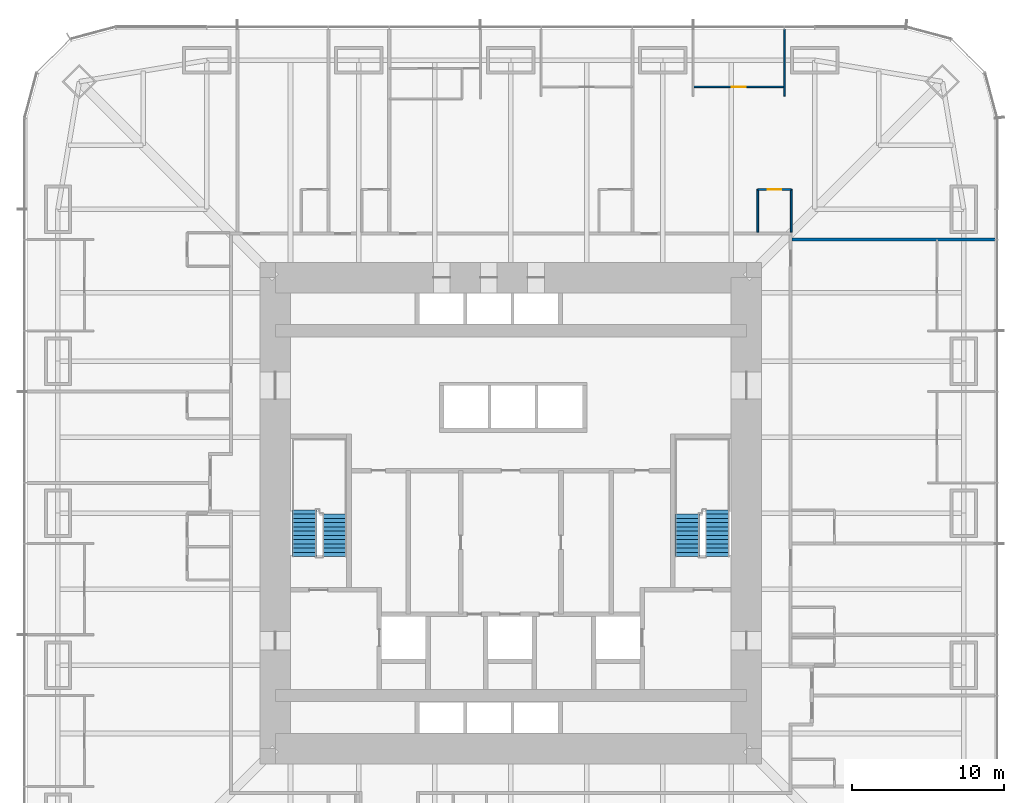
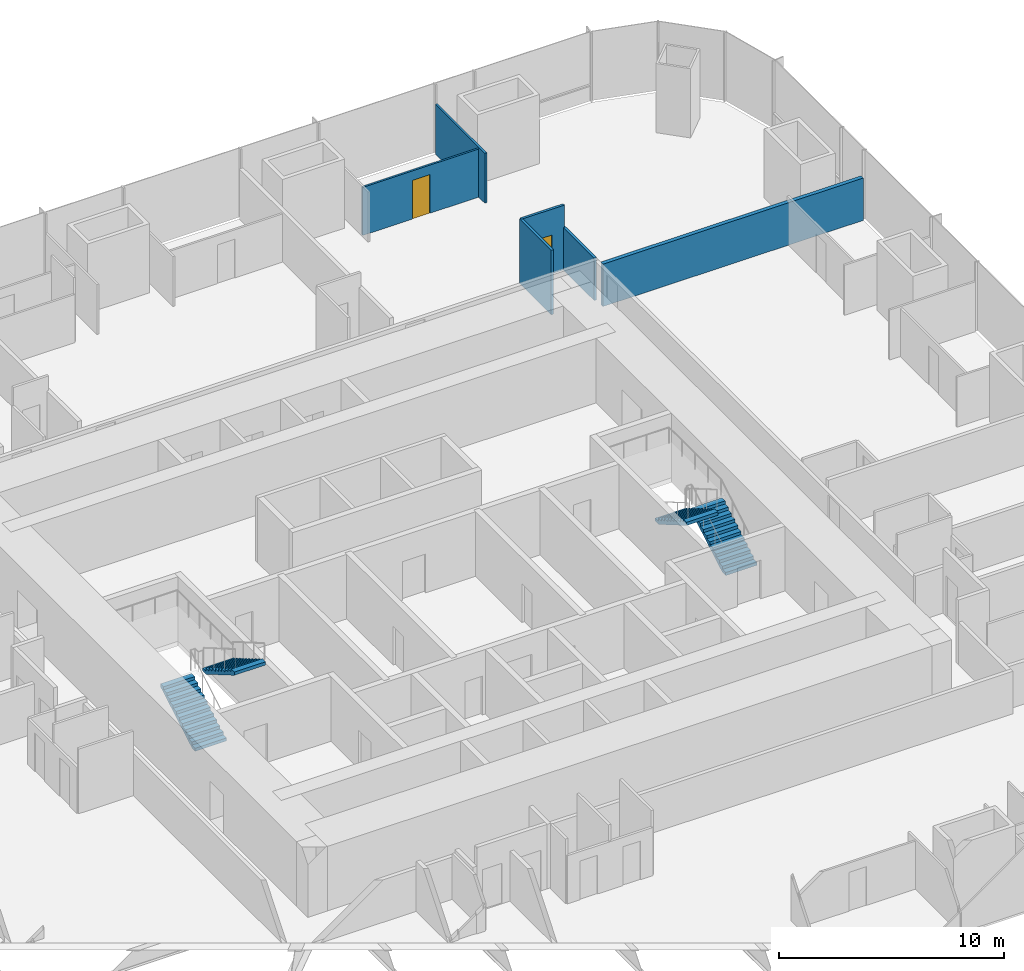
# One storey, part 19 of 20: 6 walls, 4 stair flights, 2 doors, 2 openings, 2 elements without a shape of their own.
"""IFC4 building model written with IfcOpenShell, lengths in metres."""

from ifc_helpers import new_model, si_unit, direction, frame, frame_2d, origin, place, context, subcontext, project, spatial, polyline, rectangle, outline, extrude, material, layer, layer_set, type_object, element, fill, aggregate, save


model = new_model("IFC4")

# Units and contexts
model_context = context("Model", 3, precision=1e-05, world=origin(), true_north=direction((0.0, 1.0)))
body_context = subcontext(model_context, "Body", "Model", "MODEL_VIEW")
ifc_project = project(units=[si_unit("LENGTHUNIT", "METRE"), si_unit("AREAUNIT", "SQUARE_METRE"), si_unit("VOLUMEUNIT", "CUBIC_METRE"), si_unit("PLANEANGLEUNIT", "RADIAN"), si_unit("MASSUNIT", "GRAM", prefix="KILO")], contexts=[model_context])

# Site, building, storey
site_placement = place(None, origin())
site = spatial("IfcSite", under=ifc_project, at=site_placement, CompositionType="ELEMENT")
building_placement = place(site_placement, origin())
building = spatial("IfcBuilding", under=site, at=building_placement, Name="Khuree Lantern Residences", CompositionType="ELEMENT")
storey_placement = place(building_placement, frame((0.0, 0.0, 32.25)))
storey = spatial("IfcBuildingStorey", under=building, at=storey_placement, Name="L07", CompositionType="ELEMENT", Elevation=32.25)

# Wall, opening, door
ifc_material_1 = material(Name="Moisture-resistant gypsum board on steel studs", Category="steel")
ifc_layer_1 = layer(ifc_material_1, 0.125)
ifc_layer_set_1 = layer_set([ifc_layer_1], Name="BATHROOM WALL BTW125")
wall_type_1 = type_object("IfcWallType", Name="BATHROOM WALL BTW125", PredefinedType="PARTITIONING", material=ifc_layer_set_1)
wall_1_placement = place(storey_placement, frame((18.449951171875, 21.300048828125, 0.0), z_axis=(0.0, 0.0, 1.0), x_axis=(-1.0, 0.0, 0.0)))
wall_1 = element("IfcWall", 1, at=wall_1_placement, inside=storey, type_object=wall_type_1, Name="L07 BATHROOM WALL 03", PredefinedType="PARTITIONING", context=body_context, shape_type="SweptSolid", body=[
    extrude(rectangle(XDim=2.199951171875, YDim=0.125, at=frame_2d((1.10009765625, 0.0))), origin(), (0.0, 0.0, 1.0), 3.5),
])
opening_1_placement = place(wall_1_placement, frame((0.64990234375, 0.0, 0.0)))
opening_1 = element("IfcOpeningElement", 2, at=opening_1_placement, cuts=wall_1, Name="Opening 07-027", PredefinedType="OPENING", context=body_context, shape_type="SweptSolid", body=[
    extrude(rectangle(XDim=0.89990234375, YDim=2.10009765625, at=frame_2d((0.449951171875, 1.050048828125))), frame((0.0, 0.072509765625, 0.0), z_axis=(0.0, -1.0, 0.0), x_axis=(1.0, 0.0, 0.0)), (0.0, 0.0, 1.0), 0.14501953125),
])
ifc_material_2 = material(Name="Timber door leaf in hardwood frame", Category="wood")
door_type_1 = type_object("IfcDoorType", Name="BATHROOM DOOR 900X2100", OperationType="SINGLE_SWING_LEFT", PredefinedType="DOOR", material=ifc_material_2)
door_1_placement = place(opening_1_placement, origin())
door_1 = element("IfcDoor", 3, at=door_1_placement, inside=storey, type_object=door_type_1, Name="Bathroom door 07-027", OperationType="SINGLE_SWING_LEFT", OverallHeight=2.10009765625, OverallWidth=0.89990234375, PredefinedType="DOOR", context=body_context, shape_type="SweptSolid", body=[
    extrude(rectangle(XDim=0.89990234375, YDim=2.10009765625, at=frame_2d((0.449951171875, 1.050048828125))), frame((0.0, 0.02490234375, 0.0), z_axis=(0.0, -1.0, 0.0), x_axis=(1.0, 0.0, 0.0)), (0.0, 0.0, 1.0), 0.050048828125),
])
fill(opening_1, door_1)

# Walls
wall_2_placement = place(storey_placement, frame((18.449951171875, 18.5, 0.0), z_axis=(0.0, 0.0, 1.0), x_axis=(0.0, 1.0, 0.0)))
element("IfcWall", 4, at=wall_2_placement, inside=storey, type_object=wall_type_1, Name="L07 BATHROOM WALL 03", PredefinedType="PARTITIONING", context=body_context, shape_type="SweptSolid", body=[
    extrude(rectangle(XDim=2.800048828125, YDim=0.125, at=frame_2d((1.39990234375, 0.0))), origin(), (0.0, 0.0, 1.0), 2.300048828125),
])
wall_3_placement = place(storey_placement, frame((16.25, 18.5, 0.0), z_axis=(0.0, 0.0, 1.0), x_axis=(0.0, 1.0, 0.0)))
element("IfcWall", 5, at=wall_3_placement, inside=storey, type_object=wall_type_1, Name="L07 BATHROOM WALL 03", PredefinedType="PARTITIONING", context=body_context, shape_type="SweptSolid", body=[
    extrude(rectangle(XDim=2.800048828125, YDim=0.125, at=frame_2d((1.39990234375, 0.0))), origin(), (0.0, 0.0, 1.0), 3.5),
])
ifc_material_3 = material(Name="Gypsum board on steel studs", Category="steel")
ifc_layer_2 = layer(ifc_material_3, 0.199951171875)
ifc_layer_set_2 = layer_set([ifc_layer_2], Name="DEMISING WALL DMW200 EI 90")
wall_type_2 = type_object("IfcWallType", Name="DEMISING WALL DMW200 EI 90", PredefinedType="PARTITIONING", material=ifc_layer_set_2)
wall_4_placement = place(storey_placement, frame((18.5, 18.0, 0.0), z_axis=(0.0, 0.0, 1.0), x_axis=(1.0, 0.0, 0.0)))
element("IfcWall", 6, at=wall_4_placement, inside=storey, type_object=wall_type_2, Name="L07 DEMISING WALL 03", PredefinedType="PARTITIONING", context=body_context, shape_type="SweptSolid", body=[
    extrude(rectangle(XDim=13.35009765625, YDim=0.199951171875, at=frame_2d((6.675048828125, 0.0))), origin(), (0.0, 0.0, 1.0), 2.300048828125),
])
ifc_layer_3 = layer(ifc_material_3, 0.10009765625)
ifc_layer_set_3 = layer_set([ifc_layer_3], Name="PARTITION PT100")
wall_type_3 = type_object("IfcWallType", Name="PARTITION PT100", PredefinedType="PARTITIONING", material=ifc_layer_set_3)
wall_5_placement = place(storey_placement, frame((18.0, 27.449951171875, 0.0), z_axis=(0.0, 0.0, 1.0), x_axis=(0.0, 1.0, 0.0)))
element("IfcWall", 7, at=wall_5_placement, inside=storey, type_object=wall_type_3, Name="L07 PARTITION 03", PredefinedType="PARTITIONING", context=body_context, shape_type="SweptSolid", body=[
    extrude(rectangle(XDim=4.400146484375, YDim=0.10009765625, at=frame_2d((2.2001953125, 0.0))), origin(), (0.0, 0.0, 1.0), 2.7099609375),
])

# Wall, opening, door
wall_6_placement = place(storey_placement, frame((18.0, 28.050048828125, 0.0), z_axis=(0.0, 0.0, 1.0), x_axis=(-1.0, 0.0, 0.0)))
wall_6 = element("IfcWall", 8, at=wall_6_placement, inside=storey, type_object=wall_type_3, Name="L07 PARTITION 03", PredefinedType="PARTITIONING", context=body_context, shape_type="SweptSolid", body=[
    extrude(rectangle(XDim=6.0, YDim=0.10009765625, at=frame_2d((3.0, 0.0))), origin(), (0.0, 0.0, 1.0), 2.610107421875),
])
opening_2_placement = place(wall_6_placement, frame((2.550048828125, 0.0, 0.0)))
opening_2 = element("IfcOpeningElement", 9, at=opening_2_placement, cuts=wall_6, Name="Opening 07-026", PredefinedType="OPENING", context=body_context, shape_type="SweptSolid", body=[
    extrude(rectangle(XDim=0.89990234375, YDim=2.10009765625, at=frame_2d((0.449951171875, 1.050048828125))), frame((0.0, 0.06005859375, 0.0), z_axis=(0.0, -1.0, 0.0), x_axis=(1.0, 0.0, 0.0)), (0.0, 0.0, 1.0), 0.1201171875),
])
door_type_2 = type_object("IfcDoorType", Name="BEDROOM DOOR 900X2100", OperationType="SINGLE_SWING_LEFT", PredefinedType="DOOR", material=ifc_material_2)
door_2_placement = place(opening_2_placement, origin())
door_2 = element("IfcDoor", 10, at=door_2_placement, inside=storey, type_object=door_type_2, Name="Bedroom door 07-026", OperationType="SINGLE_SWING_LEFT", OverallHeight=2.10009765625, OverallWidth=0.89990234375, PredefinedType="DOOR", context=body_context, shape_type="SweptSolid", body=[
    extrude(rectangle(XDim=0.89990234375, YDim=2.10009765625, at=frame_2d((0.449951171875, 1.050048828125))), frame((0.0, 0.02490234375, 0.0), z_axis=(0.0, -1.0, 0.0), x_axis=(1.0, 0.0, 0.0)), (0.0, 0.0, 1.0), 0.050048828125),
])
fill(opening_2, door_2)

# Stair, stair flights
ifc_material_4 = material(Name="Concrete C40/50", Category="concrete")
stair_type = type_object("IfcStairType", Name="STAIR ST1 HALF TURN 3600", PredefinedType="HALF_TURN_STAIR", material=ifc_material_4)
stair_1_placement = place(storey_placement, origin())
stair_1 = element("IfcStair", 11, at=stair_1_placement, inside=storey, type_object=stair_type, Name="Stair ST1", PredefinedType="HALF_TURN_STAIR")
stair_flight_type = type_object("IfcStairFlightType", Name="STAIR FLIGHT SF1 1600", PredefinedType="STRAIGHT", material=ifc_material_4)
stair_flight_1_placement = place(storey_placement, frame((-13.60009765625, -2.860107421875, 0.0), z_axis=(0.0, 0.0, 1.0), x_axis=(0.0, 1.0, 0.0)))
stair_flight_1 = element("IfcStairFlight", 12, at=stair_flight_1_placement, type_object=stair_flight_type, Name="ST1 flight 1", NumberOfRisers=12, NumberOfTreads=11, PredefinedType="STRAIGHT", RiserHeight=0.163043478, TreadLength=0.28, context=body_context, shape_type="SweptSolid", body=[
    extrude(outline(polyline([(0.0, 0.0), (0.0, 0.1630859375), (0.280029296875, 0.1630859375), (0.280029296875, 0.326171875), (0.56005859375, 0.326171875), (0.56005859375, 0.489013671875), (0.840087890625, 0.489013671875), (0.840087890625, 0.652099609375), (1.1201171875, 0.652099609375), (1.1201171875, 0.815185546875), (1.39990234375, 0.815185546875), (1.39990234375, 0.978271484375), (1.679931640625, 0.978271484375), (1.679931640625, 1.141357421875), (1.9599609375, 1.141357421875), (1.9599609375, 1.304443359375), (2.239990234375, 1.304443359375), (2.239990234375, 1.46728515625), (2.52001953125, 1.46728515625), (2.52001953125, 1.63037109375), (2.800048828125, 1.63037109375), (2.800048828125, 1.79345703125), (3.080078125, 1.79345703125), (3.080078125, 1.95654296875), (3.080078125, 1.6201171875), (0.2978515625, 0.0), (0.0, 0.0)])), frame((0.0, 0.800048828125, 0.0), z_axis=(0.0, -1.0, 0.0), x_axis=(1.0, 0.0, 0.0)), (0.0, 0.0, 1.0), 1.60009765625),
])
stair_flight_2_placement = place(storey_placement, frame((-11.60009765625, -0.06005859375, 1.95654296875), z_axis=(0.0, 0.0, 1.0), x_axis=(0.0, -1.0, 0.0)))
stair_flight_2 = element("IfcStairFlight", 13, at=stair_flight_2_placement, type_object=stair_flight_type, Name="ST1 flight 2", NumberOfRisers=11, NumberOfTreads=10, PredefinedType="STRAIGHT", RiserHeight=0.163043478, TreadLength=0.28, context=body_context, shape_type="SweptSolid", body=[
    extrude(outline(polyline([(0.0, 0.0), (0.0, 0.1630859375), (0.280029296875, 0.1630859375), (0.280029296875, 0.326171875), (0.56005859375, 0.326171875), (0.56005859375, 0.489013671875), (0.840087890625, 0.489013671875), (0.840087890625, 0.652099609375), (1.1201171875, 0.652099609375), (1.1201171875, 0.815185546875), (1.39990234375, 0.815185546875), (1.39990234375, 0.978271484375), (1.679931640625, 0.978271484375), (1.679931640625, 1.141357421875), (1.9599609375, 1.141357421875), (1.9599609375, 1.304443359375), (2.239990234375, 1.304443359375), (2.239990234375, 1.46728515625), (2.52001953125, 1.46728515625), (2.52001953125, 1.63037109375), (2.800048828125, 1.63037109375), (2.800048828125, 1.79345703125), (2.800048828125, 1.45703125), (0.2978515625, 0.0), (0.0, 0.0)])), frame((0.0, 0.800048828125, 0.0), z_axis=(0.0, -1.0, 0.0), x_axis=(1.0, 0.0, 0.0)), (0.0, 0.0, 1.0), 1.60009765625),
])
aggregate(stair_1, [stair_flight_1, stair_flight_2])

stair_2_placement = place(storey_placement, origin())
stair_2 = element("IfcStair", 14, at=stair_2_placement, inside=storey, type_object=stair_type, Name="Stair ST2", PredefinedType="HALF_TURN_STAIR")
stair_flight_3_placement = place(storey_placement, frame((13.60009765625, -2.860107421875, 0.0), z_axis=(0.0, 0.0, 1.0), x_axis=(0.0, 1.0, 0.0)))
stair_flight_3 = element("IfcStairFlight", 15, at=stair_flight_3_placement, type_object=stair_flight_type, Name="ST2 flight 1", NumberOfRisers=12, NumberOfTreads=11, PredefinedType="STRAIGHT", RiserHeight=0.163043478, TreadLength=0.28, context=body_context, shape_type="SweptSolid", body=[
    extrude(outline(polyline([(0.0, 0.0), (0.0, 0.1630859375), (0.280029296875, 0.1630859375), (0.280029296875, 0.326171875), (0.56005859375, 0.326171875), (0.56005859375, 0.489013671875), (0.840087890625, 0.489013671875), (0.840087890625, 0.652099609375), (1.1201171875, 0.652099609375), (1.1201171875, 0.815185546875), (1.39990234375, 0.815185546875), (1.39990234375, 0.978271484375), (1.679931640625, 0.978271484375), (1.679931640625, 1.141357421875), (1.9599609375, 1.141357421875), (1.9599609375, 1.304443359375), (2.239990234375, 1.304443359375), (2.239990234375, 1.46728515625), (2.52001953125, 1.46728515625), (2.52001953125, 1.63037109375), (2.800048828125, 1.63037109375), (2.800048828125, 1.79345703125), (3.080078125, 1.79345703125), (3.080078125, 1.95654296875), (3.080078125, 1.6201171875), (0.2978515625, 0.0), (0.0, 0.0)])), frame((0.0, 0.800048828125, 0.0), z_axis=(0.0, -1.0, 0.0), x_axis=(1.0, 0.0, 0.0)), (0.0, 0.0, 1.0), 1.60009765625),
])
stair_flight_4_placement = place(storey_placement, frame((11.60009765625, -0.06005859375, 1.95654296875), z_axis=(0.0, 0.0, 1.0), x_axis=(0.0, -1.0, 0.0)))
stair_flight_4 = element("IfcStairFlight", 16, at=stair_flight_4_placement, type_object=stair_flight_type, Name="ST2 flight 2", NumberOfRisers=11, NumberOfTreads=10, PredefinedType="STRAIGHT", RiserHeight=0.163043478, TreadLength=0.28, context=body_context, shape_type="SweptSolid", body=[
    extrude(outline(polyline([(0.0, 0.0), (0.0, 0.1630859375), (0.280029296875, 0.1630859375), (0.280029296875, 0.326171875), (0.56005859375, 0.326171875), (0.56005859375, 0.489013671875), (0.840087890625, 0.489013671875), (0.840087890625, 0.652099609375), (1.1201171875, 0.652099609375), (1.1201171875, 0.815185546875), (1.39990234375, 0.815185546875), (1.39990234375, 0.978271484375), (1.679931640625, 0.978271484375), (1.679931640625, 1.141357421875), (1.9599609375, 1.141357421875), (1.9599609375, 1.304443359375), (2.239990234375, 1.304443359375), (2.239990234375, 1.46728515625), (2.52001953125, 1.46728515625), (2.52001953125, 1.63037109375), (2.800048828125, 1.63037109375), (2.800048828125, 1.79345703125), (2.800048828125, 1.45703125), (0.2978515625, 0.0), (0.0, 0.0)])), frame((0.0, 0.800048828125, 0.0), z_axis=(0.0, -1.0, 0.0), x_axis=(1.0, 0.0, 0.0)), (0.0, 0.0, 1.0), 1.60009765625),
])
aggregate(stair_2, [stair_flight_3, stair_flight_4])

save(model, "model.ifc")
